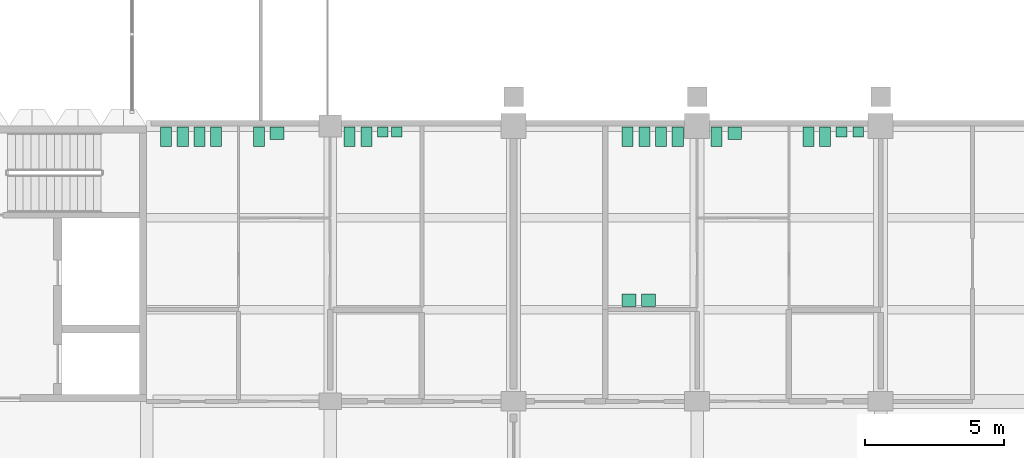
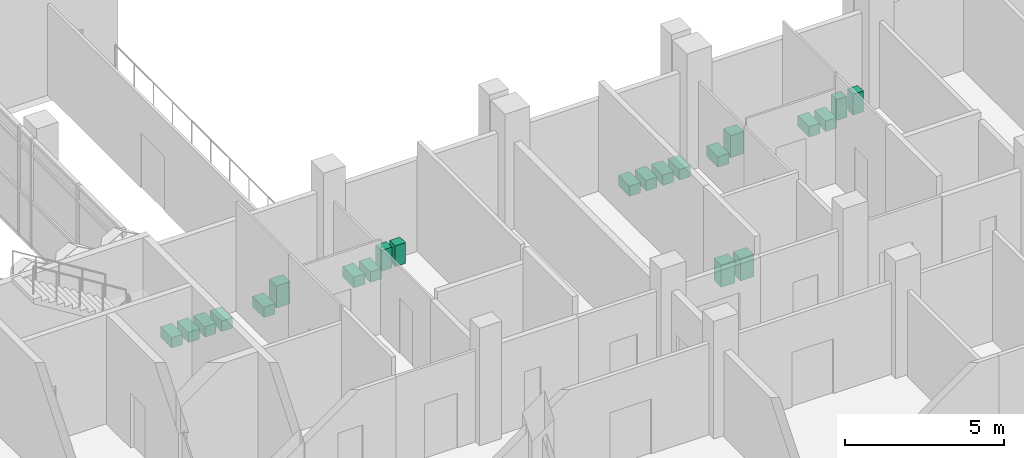
# One storey, part 102 of 102: 22 sanitary terminals.
"""IFC4 building model written with IfcOpenShell, lengths in metres."""

from ifc_helpers import new_model, si_unit, direction, frame, origin, origin_2d, place, context, subcontext, project, spatial, rectangle, extrude, element, save


model = new_model("IFC4")

# Units and contexts
model_context = context("Model", 3, precision=1e-05, world=origin(), true_north=direction((0.0, 1.0)))
body_context = subcontext(model_context, "Body", "Model", "MODEL_VIEW")
ifc_project = project(units=[si_unit("LENGTHUNIT", "METRE"), si_unit("AREAUNIT", "SQUARE_METRE"), si_unit("VOLUMEUNIT", "CUBIC_METRE"), si_unit("PLANEANGLEUNIT", "RADIAN"), si_unit("MASSUNIT", "GRAM", prefix="KILO")], contexts=[model_context])

# Site, building, storey
site_placement = place(None, origin())
site = spatial("IfcSite", under=ifc_project, at=site_placement, CompositionType="ELEMENT")
building_placement = place(site_placement, origin())
building = spatial("IfcBuilding", under=site, at=building_placement, Name="Lantern Court Research Institute", CompositionType="ELEMENT")
storey_placement = place(building_placement, frame((0.0, 0.0, 9.89990234375)))
storey = spatial("IfcBuildingStorey", under=building, at=storey_placement, Name="L02", CompositionType="ELEMENT", Elevation=9.89990234375)

# Sanitary terminals
for number, where, z_axis, x_axis, name in (
    (1, (40.300048828125, 22.7099609375, 0.000244140625), (0.0, 0.0, 1.0), (1.0, 0.0, 0.0), "WC pan W2.08"),
    (2, (40.89990234375, 22.7099609375, 0.000244140625), (0.0, 0.0, 1.0), (1.0, 0.0, 0.0), "WC pan W2.08"),
    (3, (41.5, 22.7099609375, 0.000244140625), (0.0, 0.0, 1.0), (1.0, 0.0, 0.0), "WC pan W2.08"),
    (4, (42.10009765625, 22.7099609375, 0.000244140625), (0.0, 0.0, 1.0), (1.0, 0.0, 0.0), "WC pan W2.08"),
    (5, (43.637451171875, 22.7099609375, 0.000244140625), (0.0, 0.0, 1.0), (1.0, 0.0, 0.0), "WC pan W2.10"),
):
    element("IfcSanitaryTerminal", number, at=place(storey_placement, frame(where, z_axis=z_axis, x_axis=x_axis)), inside=storey, Name=name, PredefinedType="TOILETPAN", context=body_context, shape_type="SweptSolid", body=[
        extrude(rectangle(XDim=0.39990234375, YDim=0.699951171875, at=origin_2d()), origin(), (0.0, 0.0, 1.0), 0.39990234375),
    ])
sanitary_terminal_1_placement = place(storey_placement, frame((44.28759765625, 22.8349609375, 0.0), z_axis=(0.0, 0.0, 1.0), x_axis=(1.0, 0.0, 0.0)))
element("IfcSanitaryTerminal", 6, at=sanitary_terminal_1_placement, inside=storey, Name="Wash basin W2.10", PredefinedType="WASHHANDBASIN", context=body_context, shape_type="SweptSolid", body=[
    extrude(rectangle(XDim=0.5, YDim=0.449951171875, at=origin_2d()), origin(), (0.0, 0.0, 1.0), 0.85009765625),
])
for number, where, z_axis, x_axis, name in (
    (7, (46.89990234375, 22.7099609375, 0.000244140625), (0.0, 0.0, 1.0), (1.0, 0.0, 0.0), "WC pan W2.12"),
    (8, (47.5, 22.7099609375, 0.000244140625), (0.0, 0.0, 1.0), (1.0, 0.0, 0.0), "WC pan W2.12"),
):
    element("IfcSanitaryTerminal", number, at=place(storey_placement, frame(where, z_axis=z_axis, x_axis=x_axis)), inside=storey, Name=name, PredefinedType="TOILETPAN", context=body_context, shape_type="SweptSolid", body=[
        extrude(rectangle(XDim=0.39990234375, YDim=0.699951171875, at=origin_2d()), origin(), (0.0, 0.0, 1.0), 0.39990234375),
    ])
for number, where, z_axis, x_axis, name in (
    (9, (48.090087890625, 22.885009765625, 0.0), (0.0, 0.0, 1.0), (1.0, 0.0, 0.0), "Urinal W2.12"),
    (10, (48.590087890625, 22.885009765625, 0.0), (0.0, 0.0, 1.0), (1.0, 0.0, 0.0), "Urinal W2.12"),
):
    element("IfcSanitaryTerminal", number, at=place(storey_placement, frame(where, z_axis=z_axis, x_axis=x_axis)), inside=storey, Name=name, PredefinedType="URINAL", context=body_context, shape_type="SweptSolid", body=[
        extrude(rectangle(XDim=0.3798828125, YDim=0.35009765625, at=origin_2d()), origin(), (0.0, 0.0, 1.0), 0.800048828125),
    ])
for number, where, z_axis, x_axis, name in (
    (11, (56.89990234375, 22.7099609375, 0.000244140625), (0.0, 0.0, 1.0), (1.0, 0.0, 0.0), "WC pan T2.04"),
    (12, (57.5, 22.7099609375, 0.000244140625), (0.0, 0.0, 1.0), (1.0, 0.0, 0.0), "WC pan T2.04"),
    (13, (58.10009765625, 22.7099609375, 0.000244140625), (0.0, 0.0, 1.0), (1.0, 0.0, 0.0), "WC pan T2.04"),
    (14, (58.699951171875, 22.7099609375, 0.000244140625), (0.0, 0.0, 1.0), (1.0, 0.0, 0.0), "WC pan T2.04"),
):
    element("IfcSanitaryTerminal", number, at=place(storey_placement, frame(where, z_axis=z_axis, x_axis=x_axis)), inside=storey, Name=name, PredefinedType="TOILETPAN", context=body_context, shape_type="SweptSolid", body=[
        extrude(rectangle(XDim=0.39990234375, YDim=0.699951171875, at=origin_2d()), origin(), (0.0, 0.0, 1.0), 0.39990234375),
    ])
for number, where, z_axis, x_axis, name in (
    (15, (56.949951171875, 16.840087890625, 0.0), (0.0, 0.0, 1.0), (1.0, 0.0, 0.0), "Wash basin T2.04"),
    (16, (57.64990234375, 16.840087890625, 0.0), (0.0, 0.0, 1.0), (1.0, 0.0, 0.0), "Wash basin T2.04"),
):
    element("IfcSanitaryTerminal", number, at=place(storey_placement, frame(where, z_axis=z_axis, x_axis=x_axis)), inside=storey, Name=name, PredefinedType="WASHHANDBASIN", context=body_context, shape_type="SweptSolid", body=[
        extrude(rectangle(XDim=0.5, YDim=0.449951171875, at=origin_2d()), origin(), (0.0, 0.0, 1.0), 0.85009765625),
    ])
sanitary_terminal_2_placement = place(storey_placement, frame((60.10009765625, 22.7099609375, 0.000244140625), z_axis=(0.0, 0.0, 1.0), x_axis=(1.0, 0.0, 0.0)))
element("IfcSanitaryTerminal", 17, at=sanitary_terminal_2_placement, inside=storey, Name="WC pan T2.06", PredefinedType="TOILETPAN", context=body_context, shape_type="SweptSolid", body=[
    extrude(rectangle(XDim=0.39990234375, YDim=0.699951171875, at=origin_2d()), origin(), (0.0, 0.0, 1.0), 0.39990234375),
])
sanitary_terminal_3_placement = place(storey_placement, frame((60.75, 22.8349609375, 0.0), z_axis=(0.0, 0.0, 1.0), x_axis=(1.0, 0.0, 0.0)))
element("IfcSanitaryTerminal", 18, at=sanitary_terminal_3_placement, inside=storey, Name="Wash basin T2.06", PredefinedType="WASHHANDBASIN", context=body_context, shape_type="SweptSolid", body=[
    extrude(rectangle(XDim=0.5, YDim=0.449951171875, at=origin_2d()), origin(), (0.0, 0.0, 1.0), 0.85009765625),
])
for number, where, z_axis, x_axis, name in (
    (19, (63.39990234375, 22.7099609375, 0.000244140625), (0.0, 0.0, 1.0), (1.0, 0.0, 0.0), "WC pan T2.08"),
    (20, (64.0, 22.7099609375, 0.000244140625), (0.0, 0.0, 1.0), (1.0, 0.0, 0.0), "WC pan T2.08"),
):
    element("IfcSanitaryTerminal", number, at=place(storey_placement, frame(where, z_axis=z_axis, x_axis=x_axis)), inside=storey, Name=name, PredefinedType="TOILETPAN", context=body_context, shape_type="SweptSolid", body=[
        extrude(rectangle(XDim=0.39990234375, YDim=0.699951171875, at=origin_2d()), origin(), (0.0, 0.0, 1.0), 0.39990234375),
    ])
for number, where, z_axis, x_axis, name in (
    (21, (64.590087890625, 22.885009765625, 0.0), (0.0, 0.0, 1.0), (1.0, 0.0, 0.0), "Urinal T2.08"),
    (22, (65.18994140625, 22.885009765625, 0.0), (0.0, 0.0, 1.0), (1.0, 0.0, 0.0), "Urinal T2.08"),
):
    element("IfcSanitaryTerminal", number, at=place(storey_placement, frame(where, z_axis=z_axis, x_axis=x_axis)), inside=storey, Name=name, PredefinedType="URINAL", context=body_context, shape_type="SweptSolid", body=[
        extrude(rectangle(XDim=0.3798828125, YDim=0.35009765625, at=origin_2d()), origin(), (0.0, 0.0, 1.0), 0.800048828125),
    ])

save(model, "model.ifc")
